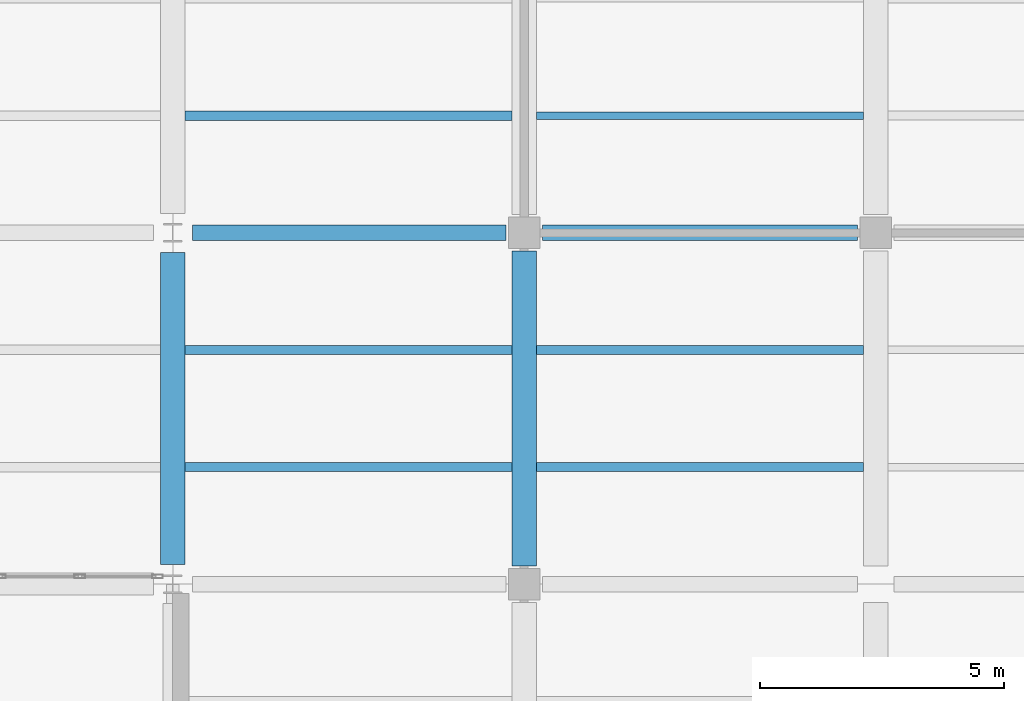
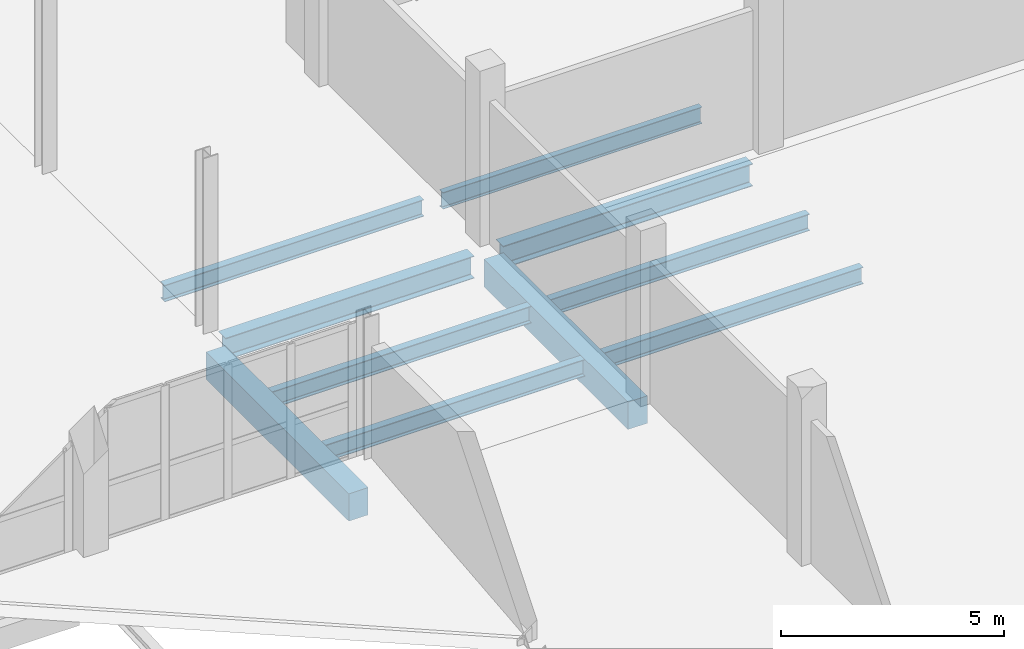
# One storey, part 33 of 127: 10 beams.
"""IFC4 building model written with IfcOpenShell, lengths in metres."""

from ifc_helpers import new_model, si_unit, direction, frame, origin, origin_2d, place, context, subcontext, project, spatial, rectangle, i_section, extrude, material, material_profile, profile_set, type_object, element, save


model = new_model("IFC4")

# Units and contexts
model_context = context("Model", 3, precision=1e-05, world=origin(), true_north=direction((0.0, 1.0)))
body_context = subcontext(model_context, "Body", "Model", "MODEL_VIEW")
ifc_project = project(units=[si_unit("LENGTHUNIT", "METRE"), si_unit("AREAUNIT", "SQUARE_METRE"), si_unit("VOLUMEUNIT", "CUBIC_METRE"), si_unit("PLANEANGLEUNIT", "RADIAN"), si_unit("MASSUNIT", "GRAM", prefix="KILO")], contexts=[model_context])

# Site, building, storey
site_placement = place(None, origin())
site = spatial("IfcSite", under=ifc_project, at=site_placement, CompositionType="ELEMENT")
building_placement = place(site_placement, origin())
building = spatial("IfcBuilding", under=site, at=building_placement, Name="Kalmorath City Hall", CompositionType="ELEMENT")
storey_placement = place(building_placement, frame((0.0, 0.0, 5.39990234375)))
storey = spatial("IfcBuildingStorey", under=building, at=storey_placement, Name="L01", CompositionType="ELEMENT", Elevation=5.39990234375)

# Beams
ifc_material_1 = material(Name="Concrete C40/50", Category="concrete")
ifc_material_profile_1 = material_profile(ifc_material_1, rectangle(XDim=0.5, YDim=0.75, at=origin_2d()), Name="RC-BM-500X750")
ifc_profile_set_1 = profile_set([ifc_material_profile_1], Name="Concrete C40/50")
beam_type_1 = type_object("IfcBeamType", Name="Concrete floor beam 500x750", PredefinedType="BEAM", material=ifc_profile_set_1)
beam_1_placement = place(storey_placement, frame((115.199951171875, 22.0, -0.698974609375), z_axis=(0.0, 1.0, 0.0), x_axis=(-1.0, 0.0, 0.0)))
element("IfcBeam", 1, at=beam_1_placement, inside=storey, type_object=beam_type_1, Name="L01 girder CB3 Y17/4-5", PredefinedType="BEAM", context=body_context, shape_type="SweptSolid", body=[
    extrude(rectangle(XDim=0.5, YDim=0.75, at=origin_2d()), origin(), (0.0, 0.0, 1.0), 6.39990234375),
])
beam_2_placement = place(storey_placement, frame((122.39990234375, 21.97509765625, -0.698974609375), z_axis=(0.0, 1.0, 0.0), x_axis=(-1.0, 0.0, 0.0)))
element("IfcBeam", 2, at=beam_2_placement, inside=storey, type_object=beam_type_1, Name="L01 girder CB3 Y18/4-5", PredefinedType="BEAM", context=body_context, shape_type="SweptSolid", body=[
    extrude(rectangle(XDim=0.5, YDim=0.75, at=origin_2d()), origin(), (0.0, 0.0, 1.0), 6.449951171875),
])
ifc_material_2 = material(Name="Steel ASTM A992 Grade 50", Category="steel")
ifc_material_profile_2 = material_profile(ifc_material_2, i_section(OverallWidth=0.153076171875, OverallDepth=0.455078125, WebThickness=0.008056640625, FlangeThickness=0.01318359375, FilletRadius=0.013916015625, at=origin_2d()), Name="W18X40")
ifc_profile_set_2 = profile_set([ifc_material_profile_2], Name="Steel ASTM A992 Grade 50")
beam_type_2 = type_object("IfcBeamType", Name="Steel composite joist W18X40", PredefinedType="JOIST", material=ifc_profile_set_2)
beam_3_placement = place(storey_placement, frame((122.64990234375, 31.199951171875, -0.551513671875), z_axis=(1.0, 0.0, 0.0), x_axis=(0.0, 1.0, 0.0)))
element("IfcBeam", 3, at=beam_3_placement, inside=storey, type_object=beam_type_2, Name="L01 joist SJ4 18.5.1", PredefinedType="JOIST", context=body_context, shape_type="SweptSolid", body=[
    extrude(i_section(OverallWidth=0.153076171875, OverallDepth=0.455078125, WebThickness=0.008056640625, FlangeThickness=0.01318359375, FilletRadius=0.013916015625, at=origin_2d()), origin(), (0.0, 0.0, 1.0), 6.7001953125),
])
ifc_material_3 = material(Name="Steel ASTM A992 Grade 50", Category="steel")
ifc_material_profile_3 = material_profile(ifc_material_3, i_section(OverallWidth=0.19091796875, OverallDepth=0.45703125, WebThickness=0.009033203125, FlangeThickness=0.014404296875, FilletRadius=0.013916015625, at=origin_2d()), Name="W18X50")
ifc_profile_set_3 = profile_set([ifc_material_profile_3], Name="Steel ASTM A992 Grade 50")
beam_type_3 = type_object("IfcBeamType", Name="Steel composite joist W18X50", PredefinedType="JOIST", material=ifc_profile_set_3)
beam_4_placement = place(storey_placement, frame((115.449951171875, 31.199951171875, -0.552490234375), z_axis=(1.0, 0.0, 0.0), x_axis=(0.0, 1.0, 0.0)))
element("IfcBeam", 4, at=beam_4_placement, inside=storey, type_object=beam_type_3, Name="L01 joist SJ3 17.5.1", PredefinedType="JOIST", context=body_context, shape_type="SweptSolid", body=[
    extrude(i_section(OverallWidth=0.19091796875, OverallDepth=0.45703125, WebThickness=0.009033203125, FlangeThickness=0.014404296875, FilletRadius=0.013916015625, at=origin_2d()), origin(), (0.0, 0.0, 1.0), 6.699951171875),
])
for number, where, z_axis, x_axis, name in (
    (5, (122.64990234375, 24.0, -0.552490234375), (1.0, 0.0, 0.0), (0.0, 1.0, 0.0), "L01 joist SJ3 18.4.1"),
    (6, (122.64990234375, 26.39990234375, -0.552490234375), (1.0, 0.0, 0.0), (0.0, 1.0, 0.0), "L01 joist SJ3 18.4.2"),
):
    element("IfcBeam", number, at=place(storey_placement, frame(where, z_axis=z_axis, x_axis=x_axis)), inside=storey, type_object=beam_type_3, Name=name, PredefinedType="JOIST", context=body_context, shape_type="SweptSolid", body=[
        extrude(i_section(OverallWidth=0.19091796875, OverallDepth=0.45703125, WebThickness=0.009033203125, FlangeThickness=0.014404296875, FilletRadius=0.013916015625, at=origin_2d()), origin(), (0.0, 0.0, 1.0), 6.7001953125),
    ])
ifc_material_4 = material(Name="Steel ASTM A992 Grade 50", Category="steel")
ifc_material_profile_4 = material_profile(ifc_material_4, i_section(OverallWidth=0.19091796875, OverallDepth=0.4599609375, WebThickness=0.010009765625, FlangeThickness=0.01611328125, FilletRadius=0.013916015625, at=origin_2d()), Name="W18X55")
ifc_profile_set_4 = profile_set([ifc_material_profile_4], Name="Steel ASTM A992 Grade 50")
beam_type_4 = type_object("IfcBeamType", Name="Steel composite joist W18X55", PredefinedType="JOIST", material=ifc_profile_set_4)
for number, where, z_axis, x_axis, name in (
    (7, (115.449951171875, 24.0, -0.553955078125), (1.0, 0.0, 0.0), (0.0, 1.0, 0.0), "L01 joist SJ2 17.4.1"),
    (8, (115.449951171875, 26.39990234375, -0.553955078125), (1.0, 0.0, 0.0), (0.0, 1.0, 0.0), "L01 joist SJ2 17.4.2"),
):
    element("IfcBeam", number, at=place(storey_placement, frame(where, z_axis=z_axis, x_axis=x_axis)), inside=storey, type_object=beam_type_4, Name=name, PredefinedType="JOIST", context=body_context, shape_type="SweptSolid", body=[
        extrude(i_section(OverallWidth=0.19091796875, OverallDepth=0.4599609375, WebThickness=0.010009765625, FlangeThickness=0.01611328125, FilletRadius=0.013916015625, at=origin_2d()), origin(), (0.0, 0.0, 1.0), 6.699951171875),
    ])
ifc_material_5 = material(Name="Steel ASTM A992 Grade 50", Category="steel")
ifc_material_profile_5 = material_profile(ifc_material_5, i_section(OverallWidth=0.323974609375, OverallDepth=0.611083984375, WebThickness=0.0126953125, FlangeThickness=0.01904296875, FilletRadius=0.01611328125, at=origin_2d()), Name="W24X104")
ifc_profile_set_5 = profile_set([ifc_material_profile_5], Name="Steel ASTM A992 Grade 50")
beam_type_5 = type_object("IfcBeamType", Name="Steel floor girder W24X104", PredefinedType="BEAM", material=ifc_profile_set_5)
beam_5_placement = place(storey_placement, frame((115.60009765625, 28.800048828125, -0.62939453125), z_axis=(1.0, 0.0, 0.0), x_axis=(0.0, 1.0, 0.0)))
element("IfcBeam", 9, at=beam_5_placement, inside=storey, type_object=beam_type_5, Name="L01 girder SG7 X17-18/5", PredefinedType="BEAM", context=body_context, shape_type="SweptSolid", body=[
    extrude(i_section(OverallWidth=0.323974609375, OverallDepth=0.611083984375, WebThickness=0.0126953125, FlangeThickness=0.01904296875, FilletRadius=0.01611328125, at=origin_2d()), origin(), (0.0, 0.0, 1.0), 6.4248046875),
])
beam_6_placement = place(storey_placement, frame((122.77490234375, 28.800048828125, -0.62939453125), z_axis=(1.0, 0.0, 0.0), x_axis=(0.0, 1.0, 0.0)))
element("IfcBeam", 10, at=beam_6_placement, inside=storey, type_object=beam_type_5, Name="L01 girder SG7 X18-19/5", PredefinedType="BEAM", context=body_context, shape_type="SweptSolid", body=[
    extrude(i_section(OverallWidth=0.323974609375, OverallDepth=0.611083984375, WebThickness=0.0126953125, FlangeThickness=0.01904296875, FilletRadius=0.01611328125, at=origin_2d()), origin(), (0.0, 0.0, 1.0), 6.4501953125),
])

save(model, "model.ifc")
